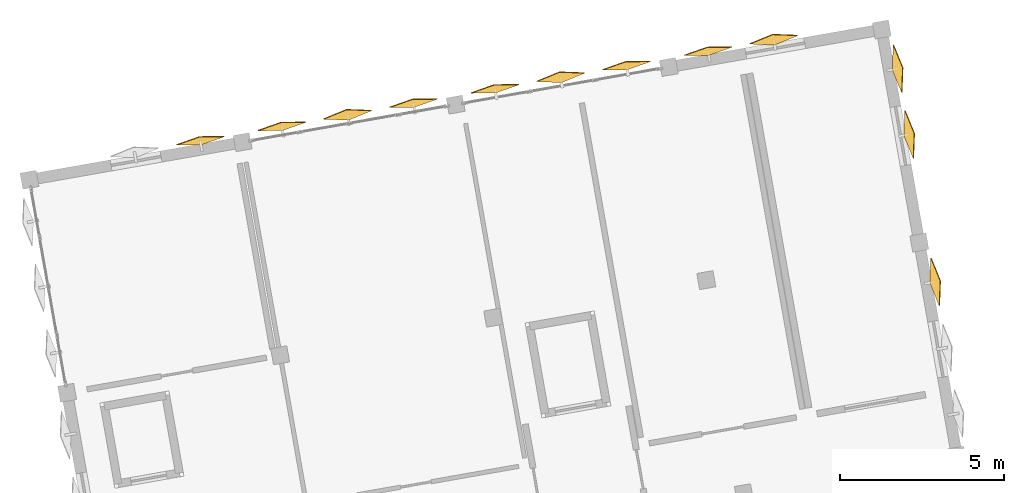
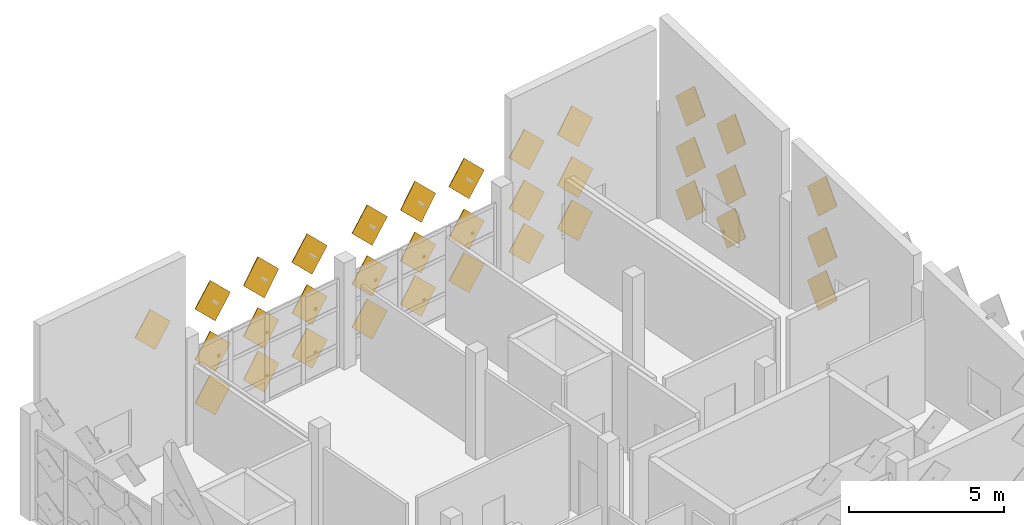
# One storey, part 11 of 11: 34 coverings.
"""IFC4 building model written with IfcOpenShell, lengths in metres."""

from ifc_helpers import new_model, si_unit, direction, frame, origin, place, context, subcontext, project, spatial, polyline, outline, extrude, material, type_object, element, save


model = new_model("IFC4")

# Units and contexts
model_context = context("Model", 3, precision=1e-05, world=origin(), true_north=direction((0.0, 1.0)))
body_context = subcontext(model_context, "Body", "Model", "MODEL_VIEW")
ifc_project = project(units=[si_unit("LENGTHUNIT", "METRE"), si_unit("AREAUNIT", "SQUARE_METRE"), si_unit("VOLUMEUNIT", "CUBIC_METRE"), si_unit("PLANEANGLEUNIT", "RADIAN"), si_unit("MASSUNIT", "GRAM", prefix="KILO")], contexts=[model_context])

# Site, building, storey
site_placement = place(None, origin())
site = spatial("IfcSite", under=ifc_project, at=site_placement, CompositionType="ELEMENT")
building_placement = place(site_placement, origin())
building = spatial("IfcBuilding", under=site, at=building_placement, Name="Kharisveld Research Institute", CompositionType="ELEMENT")
storey_placement = place(building_placement, frame((0.0, 0.0, 49.199951171875)))
storey = spatial("IfcBuildingStorey", under=building, at=storey_placement, Name="L11", CompositionType="ELEMENT", Elevation=49.199951171875)

# Coverings
ifc_material = material(Name="White Powder-Coated Perforated Aluminium", Category="aluminium")
covering_type = type_object("IfcCoveringType", Name="CV_DIA_105", PredefinedType="CLADDING")
covering_1_placement = place(storey_placement, frame((6.993408203125, 55.5712890625, 4.017822265625), z_axis=(0.171234061711, -0.9712992705, 0.165095800177), x_axis=(0.676172534966, 0.237733660148, 0.69733306948)))
element("IfcCovering", 1, at=covering_1_placement, inside=storey, type_object=covering_type, material=ifc_material, Name="SHD:V1:L11:N0:S2C2", PredefinedType="CLADDING", context=body_context, shape_type="SweptSolid", body=[
    extrude(outline(polyline([(0.0, 0.0), (1.049945167901042, 2.220446049250313e-16), (1.0499916144071415, 1.0500832207180806), (-0.0001818412696886762, 1.0499148369138707), (0.0, 0.0)])), origin(), (0.0, 0.0, -1.0), 0.02392578125),
])
covering_2_placement = place(storey_placement, frame((9.481689453125, 56.010009765625, 0.31787109375), z_axis=(0.171233283515, -0.971294856301, 0.165122574894), x_axis=(0.676169249711, 0.237752303341, 0.697329898973)))
element("IfcCovering", 2, at=covering_2_placement, inside=storey, type_object=covering_type, material=ifc_material, Name="SHD:V1:L11:N1:S0C0", PredefinedType="CLADDING", context=body_context, shape_type="SweptSolid", body=[
    extrude(outline(polyline([(0.0, 0.0), (1.0499451658186758, 1.1102230246251565e-16), (1.049821365379827, 1.0499129414516415), (-0.0001818454347816134, 1.049914834830723), (0.0, 0.0)])), origin(), (0.0, 0.0, -1.0), 0.02392578125),
])
for number, where, z_axis, x_axis, name in (
    (3, (9.481689453125, 56.010009765625, 2.017822265625), (0.171234061711, -0.9712992705, 0.165095800177), (0.676172534966, 0.237733660148, 0.69733306948), "SHD:V1:L11:N1:S0C1"),
    (4, (9.481689453125, 56.010009765625, 4.017822265625), (0.171234061711, -0.9712992705, 0.165095800177), (0.676172534966, 0.237733660148, 0.69733306948), "SHD:V1:L11:N1:S0C2"),
):
    element("IfcCovering", number, at=place(storey_placement, frame(where, z_axis=z_axis, x_axis=x_axis)), inside=storey, type_object=covering_type, material=ifc_material, Name=name, PredefinedType="CLADDING", context=body_context, shape_type="SweptSolid", body=[
        extrude(outline(polyline([(0.0, 0.0), (1.049945167901042, 2.220446049250313e-16), (1.0499916144071415, 1.0500832207180806), (-0.0001818412696886762, 1.0499148369138707), (0.0, 0.0)])), origin(), (0.0, 0.0, -1.0), 0.02392578125),
    ])
for number, where, z_axis, x_axis, name in (
    (5, (11.494140625, 56.326171875, 0.3251953125), (0.169503194288, -0.961481187298, 0.216385289699), (0.669849989418, 0.273447448775, 0.690309701826), "SHD:V1:L11:N1:S1C0"),
    (6, (11.494140625, 56.326171875, 2.025146484375), (0.169503194288, -0.961481187298, 0.216385289699), (0.669849989418, 0.273447448775, 0.690309701826), "SHD:V1:L11:N1:S1C1"),
    (7, (11.494140625, 56.326171875, 4.025146484375), (0.169503194288, -0.961481187298, 0.216385289699), (0.669849989418, 0.273447448775, 0.690309701826), "SHD:V1:L11:N1:S1C2"),
):
    element("IfcCovering", number, at=place(storey_placement, frame(where, z_axis=z_axis, x_axis=x_axis)), inside=storey, type_object=covering_type, material=ifc_material, Name=name, PredefinedType="CLADDING", context=body_context, shape_type="SweptSolid", body=[
        extrude(outline(polyline([(0.0, 0.0), (1.0500345517563856, -1.1102230246251565e-16), (1.0498172010450848, 1.0501299743656882), (-5.381311622809637e-05, 1.0499534875988095), (0.0, 0.0)])), origin(), (0.0, 0.0, -1.0), 0.02392578125),
    ])
covering_3_placement = place(storey_placement, frame((13.4931640625, 56.71728515625, 0.31787109375), z_axis=(0.171390542115, -0.97126712135, 0.165122563745), x_axis=(0.676151201882, 0.237861994335, 0.697309991212)))
element("IfcCovering", 8, at=covering_3_placement, inside=storey, type_object=covering_type, material=ifc_material, Name="SHD:V1:L11:N1:S2C0", PredefinedType="CLADDING", context=body_context, shape_type="SweptSolid", body=[
    extrude(outline(polyline([(0.0, 0.0), (1.0500032175105616, -1.1102230246251565e-16), (1.049819465468739, 1.0499148411935766), (-0.00018375204182263793, 1.0499148411935766), (0.0, 0.0)])), origin(), (0.0, 0.0, -1.0), 0.02392578125),
])
for number, where, z_axis, x_axis, name in (
    (9, (13.4931640625, 56.71728515625, 2.017822265625), (0.171391321025, -0.971271535422, 0.16509578903), (0.676154491616, 0.237843352225, 0.697313160116), "SHD:V1:L11:N1:S2C1"),
    (10, (13.4931640625, 56.71728515625, 4.017822265625), (0.171391321025, -0.971271535422, 0.16509578903), (0.676154491616, 0.237843352225, 0.697313160116), "SHD:V1:L11:N1:S2C2"),
):
    element("IfcCovering", number, at=place(storey_placement, frame(where, z_axis=z_axis, x_axis=x_axis)), inside=storey, type_object=covering_type, material=ifc_material, Name=name, PredefinedType="CLADDING", context=body_context, shape_type="SweptSolid", body=[
        extrude(outline(polyline([(0.0, 0.0), (1.050003217317155, -1.1102230246251565e-16), (1.0499897073592166, 1.0500851275961767), (-0.00018375242866985886, 1.0499148410000858), (0.0, 0.0)])), origin(), (0.0, 0.0, -1.0), 0.02392578125),
    ])
covering_4_placement = place(storey_placement, frame((15.9814453125, 57.156005859375, 0.31787109375), z_axis=(0.171233283515, -0.971294856301, 0.165122574894), x_axis=(0.67617054184, 0.237752317325, 0.697328641284)))
element("IfcCovering", 11, at=covering_4_placement, inside=storey, type_object=covering_type, material=ifc_material, Name="SHD:V1:L11:N2:S0C0", PredefinedType="CLADDING", context=body_context, shape_type="SweptSolid", body=[
    extrude(outline(polyline([(0.0, 0.0), (1.0500032108163153, 0.0), (1.0498194721618133, 1.0499148345011098), (-0.0001256936551553567, 1.0499129412266959), (0.0, 0.0)])), origin(), (0.0, 0.0, -1.0), 0.02392578125),
])
for number, where, z_axis, x_axis, name in (
    (12, (15.9814453125, 57.156005859375, 2.017822265625), (0.171234061711, -0.9712992705, 0.165095800177), (0.676173830196, 0.2377336742, 0.697331808761), "SHD:V1:L11:N2:S0C1"),
    (13, (15.9814453125, 57.156005859375, 4.017822265625), (0.171234061711, -0.9712992705, 0.165095800177), (0.676173830196, 0.2377336742, 0.697331808761), "SHD:V1:L11:N2:S0C2"),
):
    element("IfcCovering", number, at=place(storey_placement, frame(where, z_axis=z_axis, x_axis=x_axis)), inside=storey, type_object=covering_type, material=ifc_material, Name=name, PredefinedType="CLADDING", context=body_context, shape_type="SweptSolid", body=[
        extrude(outline(polyline([(0.0, 0.0), (1.0500032083471293, -1.1102230246251565e-16), (1.0499897163291267, 1.0500851186270816), (-0.00012569859382338677, 1.049912938756706), (0.0, 0.0)])), origin(), (0.0, 0.0, -1.0), 0.02392578125),
    ])
for number, where, z_axis, x_axis, name in (
    (14, (17.993896484375, 57.47216796875, 0.3251953125), (0.169530643305, -0.961476347302, 0.21638529192), (0.669725119033, 0.273471090272, 0.690421485559), "SHD:V1:L11:N2:S1C0"),
    (15, (17.993896484375, 57.47216796875, 2.025146484375), (0.169530643305, -0.961476347302, 0.21638529192), (0.669725119033, 0.273471090272, 0.690421485559), "SHD:V1:L11:N2:S1C1"),
    (16, (17.993896484375, 57.47216796875, 4.025146484375), (0.169530643305, -0.961476347302, 0.21638529192), (0.669725119033, 0.273471090272, 0.690421485559), "SHD:V1:L11:N2:S1C2"),
):
    element("IfcCovering", number, at=place(storey_placement, frame(where, z_axis=z_axis, x_axis=x_axis)), inside=storey, type_object=covering_type, material=ifc_material, Name=name, PredefinedType="CLADDING", context=body_context, shape_type="SweptSolid", body=[
        extrude(outline(polyline([(0.0, 0.0), (1.0498710291992122, 0.0), (1.0499937163043682, 1.0499534820137317), (0.00012268710515594972, 1.049953482013732), (0.0, 0.0)])), origin(), (0.0, 0.0, -1.0), 0.02392578125),
    ])
covering_5_placement = place(storey_placement, frame((19.992919921875, 57.863525390625, 0.31787109375), z_axis=(0.171237860122, -0.971320816414, 0.164965047395), x_axis=(0.676188582115, 0.237642617236, 0.697348541184)))
element("IfcCovering", 17, at=covering_5_placement, inside=storey, type_object=covering_type, material=ifc_material, Name="SHD:V1:L11:N2:S2C0", PredefinedType="CLADDING", context=body_context, shape_type="SweptSolid", body=[
    extrude(outline(polyline([(0.0, 0.0), (1.0499451725132918, 1.1102230246251565e-16), (1.0497633404689015, 1.0499148415278516), (-0.0001818320443901511, 1.0499148415278516), (0.0, 0.0)])), origin(), (0.0, 0.0, -1.0), 0.02392578125),
])
for number, where, z_axis, x_axis, name in (
    (18, (19.992919921875, 57.863525390625, 2.017822265625), (0.171238636855, -0.971325222312, 0.164938296792), (0.676191865964, 0.23762399085, 0.697351704219), "SHD:V1:L11:N2:S2C1"),
    (19, (19.992919921875, 57.863525390625, 4.017822265625), (0.171238636855, -0.971325222312, 0.164938296792), (0.676191865964, 0.23762399085, 0.697351704219), "SHD:V1:L11:N2:S2C2"),
):
    element("IfcCovering", number, at=place(storey_placement, frame(where, z_axis=z_axis, x_axis=x_axis)), inside=storey, type_object=covering_type, material=ifc_material, Name=name, PredefinedType="CLADDING", context=body_context, shape_type="SweptSolid", body=[
        extrude(outline(polyline([(0.0, 0.0), (1.0499451723202433, -1.1102230246251565e-16), (1.0499335917706356, 1.0500851276195962), (-0.00018183243052050102, 1.0499148413347306), (0.0, 0.0)])), origin(), (0.0, 0.0, -1.0), 0.02392578125),
    ])
covering_6_placement = place(storey_placement, frame((22.481201171875, 58.30224609375, 0.31787109375), z_axis=(0.171237860122, -0.971320816414, 0.164965047395), x_axis=(0.676188582115, 0.237642617236, 0.697348541184)))
element("IfcCovering", 20, at=covering_6_placement, inside=storey, type_object=covering_type, material=ifc_material, Name="SHD:V1:L11:N3:S0C0", PredefinedType="CLADDING", context=body_context, shape_type="SweptSolid", body=[
    extrude(outline(polyline([(0.0, 0.0), (1.0499451725132918, 1.1102230246251565e-16), (1.0497633404689015, 1.0499148415278516), (-0.0001818320443901511, 1.0499148415278516), (0.0, 0.0)])), origin(), (0.0, 0.0, -1.0), 0.02392578125),
])
for number, where, z_axis, x_axis, name in (
    (21, (22.481201171875, 58.30224609375, 2.017822265625), (0.171238636855, -0.971325222312, 0.164938296792), (0.676191865964, 0.23762399085, 0.697351704219), "SHD:V1:L11:N3:S0C1"),
    (22, (22.481201171875, 58.30224609375, 4.017822265625), (0.171238636855, -0.971325222312, 0.164938296792), (0.676191865964, 0.23762399085, 0.697351704219), "SHD:V1:L11:N3:S0C2"),
):
    element("IfcCovering", number, at=place(storey_placement, frame(where, z_axis=z_axis, x_axis=x_axis)), inside=storey, type_object=covering_type, material=ifc_material, Name=name, PredefinedType="CLADDING", context=body_context, shape_type="SweptSolid", body=[
        extrude(outline(polyline([(0.0, 0.0), (1.0499451723202433, -1.1102230246251565e-16), (1.0499335917706356, 1.0500851276195962), (-0.00018183243052050102, 1.0499148413347306), (0.0, 0.0)])), origin(), (0.0, 0.0, -1.0), 0.02392578125),
    ])
for number, where, z_axis, x_axis, name in (
    (23, (24.49365234375, 58.6181640625, 0.3251953125), (0.169497253476, -0.961447488939, 0.216539620108), (0.669704807286, 0.273559805143, 0.690406042925), "SHD:V1:L11:N3:S1C0"),
    (24, (24.49365234375, 58.6181640625, 2.025146484375), (0.169497253476, -0.961447488939, 0.216539620108), (0.669704807286, 0.273559805143, 0.690406042925), "SHD:V1:L11:N3:S1C1"),
    (25, (24.49365234375, 58.6181640625, 4.025146484375), (0.169497253476, -0.961447488939, 0.216539620108), (0.669704807286, 0.273559805143, 0.690406042925), "SHD:V1:L11:N3:S1C2"),
):
    element("IfcCovering", number, at=place(storey_placement, frame(where, z_axis=z_axis, x_axis=x_axis)), inside=storey, type_object=covering_type, material=ifc_material, Name=name, PredefinedType="CLADDING", context=body_context, shape_type="SweptSolid", body=[
        extrude(outline(polyline([(0.0, 0.0), (1.0499378117878446, 0.0), (1.0500673216048337, 1.0499534721181558), (3.2794728575202825e-05, 1.0501368269494782), (0.0, 0.0)])), origin(), (0.0, 0.0, -1.0), 0.02392578125),
    ])
for number, where, z_axis, x_axis, name in (
    (26, (28.077880859375, 57.86669921875, 0.3251953125), (-0.961487125864, -0.169504241221, 0.216358080518), (0.27342850239, -0.669853329409, 0.690313965642), "SHD:V1:L11:E3:S0C0"),
    (27, (28.077880859375, 57.86669921875, 2.025146484375), (-0.961487125864, -0.169504241221, 0.216358080518), (0.27342850239, -0.669853329409, 0.690313965642), "SHD:V1:L11:E3:S0C1"),
    (28, (28.077880859375, 57.86669921875, 4.025146484375), (-0.961487125864, -0.169504241221, 0.216358080518), (0.27342850239, -0.669853329409, 0.690313965642), "SHD:V1:L11:E3:S0C2"),
):
    element("IfcCovering", number, at=place(storey_placement, frame(where, z_axis=z_axis, x_axis=x_axis)), inside=storey, type_object=covering_type, material=ifc_material, Name=name, PredefinedType="CLADDING", context=body_context, shape_type="SweptSolid", body=[
        extrude(outline(polyline([(0.0, 0.0), (1.0500345519602505, 0.0), (1.0499807392517624, 1.0499534878027108), (-5.381270848814346e-05, 1.049953487802711), (0.0, 0.0)])), origin(), (0.0, 0.0, -1.0), 0.02392578125),
    ])
for number, where, z_axis, x_axis, name in (
    (29, (28.431640625, 55.86083984375, 0.3251953125), (-0.961476347302, -0.169530643305, 0.21638529192), (0.273471090272, -0.669725119033, 0.690421485559), "SHD:V1:L11:E3:S1C0"),
    (30, (28.431640625, 55.86083984375, 2.025146484375), (-0.961476347302, -0.169530643305, 0.21638529192), (0.273471090272, -0.669725119033, 0.690421485559), "SHD:V1:L11:E3:S1C1"),
    (31, (28.431640625, 55.86083984375, 4.025146484375), (-0.961476347302, -0.169530643305, 0.21638529192), (0.273471090272, -0.669725119033, 0.690421485559), "SHD:V1:L11:E3:S1C2"),
):
    element("IfcCovering", number, at=place(storey_placement, frame(where, z_axis=z_axis, x_axis=x_axis)), inside=storey, type_object=covering_type, material=ifc_material, Name=name, PredefinedType="CLADDING", context=body_context, shape_type="SweptSolid", body=[
        extrude(outline(polyline([(0.0, 0.0), (1.0498710291992122, 0.0), (1.0499937163043682, 1.0499534820137317), (0.00012268710515594972, 1.049953482013732), (0.0, 0.0)])), origin(), (0.0, 0.0, -1.0), 0.02392578125),
    ])
for number, where, z_axis, x_axis, name in (
    (32, (29.223876953125, 51.366943359375, 0.3251953125), (-0.961425979727, -0.169653966706, 0.216512394765), (0.27364360613, -0.669810730042, 0.69027006508), "SHD:V1:L11:E2:S0C0"),
    (33, (29.223876953125, 51.366943359375, 2.025146484375), (-0.961425979727, -0.169653966706, 0.216512394765), (0.27364360613, -0.669810730042, 0.69027006508), "SHD:V1:L11:E2:S0C1"),
    (34, (29.223876953125, 51.366943359375, 4.025146484375), (-0.961425979727, -0.169653966706, 0.216512394765), (0.27364360613, -0.669810730042, 0.69027006508), "SHD:V1:L11:E2:S0C2"),
):
    element("IfcCovering", number, at=place(storey_placement, frame(where, z_axis=z_axis, x_axis=x_axis)), inside=storey, type_object=covering_type, material=ifc_material, Name=name, PredefinedType="CLADDING", context=body_context, shape_type="SweptSolid", body=[
        extrude(outline(polyline([(0.0, 0.0), (1.0501013332243323, 1.1102230246251565e-16), (1.050054335240126, 1.049953488129867), (-4.699798420648715e-05, 1.049953488129867), (0.0, 0.0)])), origin(), (0.0, 0.0, -1.0), 0.02392578125),
    ])

save(model, "model.ifc")
